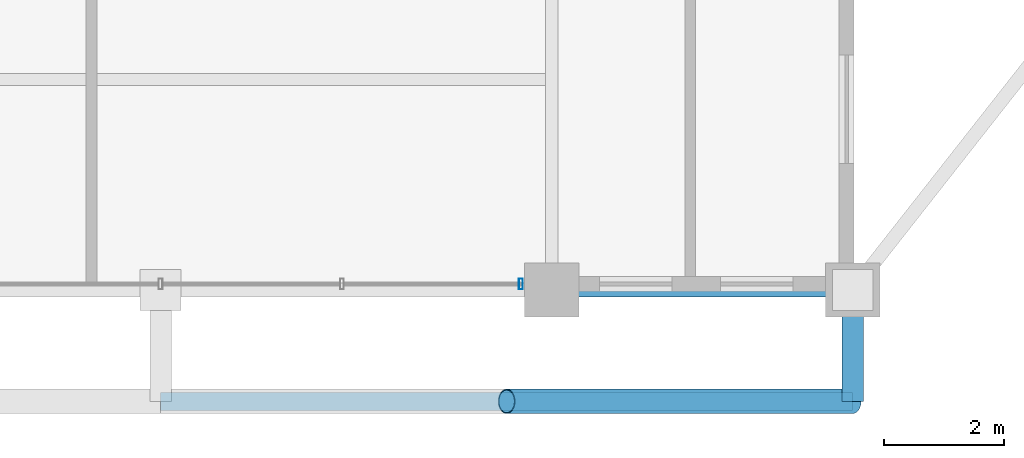
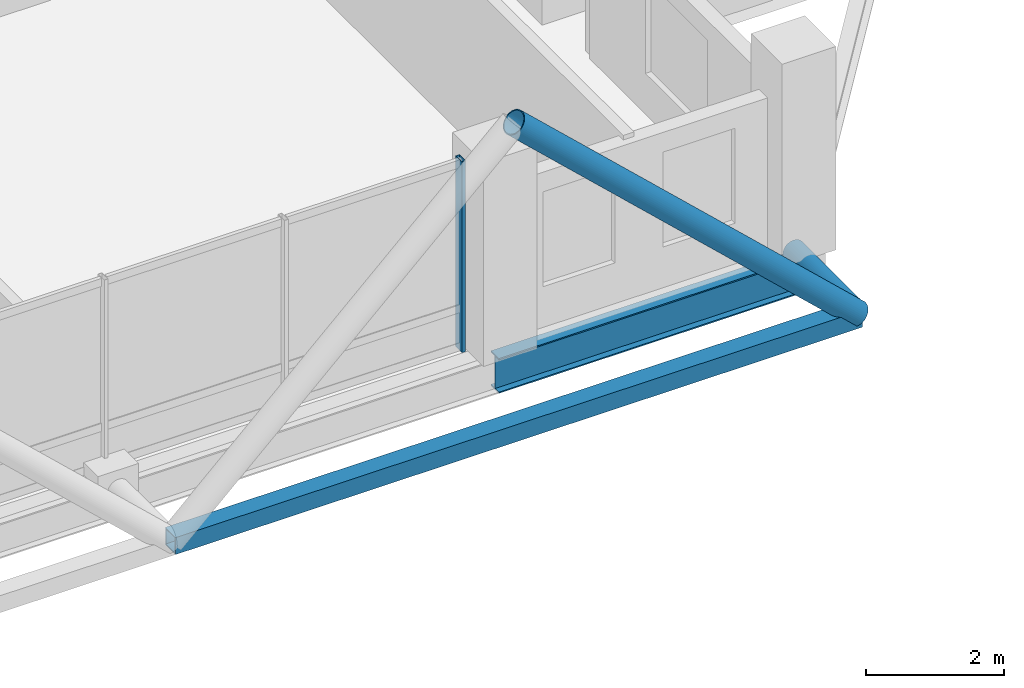
# One storey, part 6 of 24: 4 members, 1 beam, 1 element without a shape of its own.
"""IFC4 building model written with IfcOpenShell, lengths in metres."""

from ifc_helpers import new_model, si_unit, direction, frame, origin, origin_2d, place, context, subcontext, project, spatial, hollow_rectangle, hollow_circle, i_section, extrude, material, layer, layer_set, material_profile, profile_set, type_object, element, aggregate, save


model = new_model("IFC4")

# Units and contexts
model_context = context("Model", 3, precision=1e-05, world=origin(), true_north=direction((0.0, 1.0)))
body_context = subcontext(model_context, "Body", "Model", "MODEL_VIEW")
ifc_project = project(units=[si_unit("LENGTHUNIT", "METRE"), si_unit("AREAUNIT", "SQUARE_METRE"), si_unit("VOLUMEUNIT", "CUBIC_METRE"), si_unit("PLANEANGLEUNIT", "RADIAN"), si_unit("MASSUNIT", "GRAM", prefix="KILO")], contexts=[model_context])

# Site, building, storey
site_placement = place(None, origin())
site = spatial("IfcSite", under=ifc_project, at=site_placement, CompositionType="ELEMENT")
building_placement = place(site_placement, origin())
building = spatial("IfcBuilding", under=site, at=building_placement, Name="Barlavira Tower and Art Museum", CompositionType="ELEMENT")
storey_placement = place(building_placement, frame((0.0, 0.0, 294.300048828125)))
storey = spatial("IfcBuildingStorey", under=building, at=storey_placement, Name="L77", CompositionType="ELEMENT", Elevation=294.300048828125)

# Curtain wall, member
ifc_material_1 = material(Name="Low-iron coastal laminated glass", Category="glass")
ifc_layer = layer(ifc_material_1, 0.2099609375, Name="Low-iron coastal laminated glass")
ifc_layer_set = layer_set([ifc_layer], Name="Low-iron coastal laminated glass")
curtain_wall_type = type_object("IfcCurtainWallType", Name="Pale-Metal Unitised Curtain Wall Zone 4", PredefinedType="NOTDEFINED", material=ifc_layer_set)
curtain_wall_placement = place(storey_placement, origin())
curtain_wall = element("IfcCurtainWall", 1, at=curtain_wall_placement, inside=storey, type_object=curtain_wall_type, Name="L77 Curtain Wall CW4-L77-S-B2", PredefinedType="NOTDEFINED")
ifc_material_2 = material(Name="Pale anodised aluminium", Category="aluminium")
ifc_material_profile_1 = material_profile(ifc_material_2, hollow_rectangle(XDim=0.06494140625, YDim=0.179931640625, WallThickness=0.00390625, at=origin_2d()), Name="ALU-MULL 65x180x4")
ifc_profile_set_1 = profile_set([ifc_material_profile_1], Name="Pale anodised aluminium")
member_type_1 = type_object("IfcMemberType", Name="Curtain Wall Pale-Metal Mullion 65x180", PredefinedType="MULLION", material=ifc_profile_set_1)
member_1_placement = place(storey_placement, frame((5.985107421875, -19.89990234375, 0.0), z_axis=(0.0, 0.0, 1.0), x_axis=(1.0, 0.0, 0.0)))
member_1 = element("IfcMember", 2, at=member_1_placement, type_object=member_type_1, Name="CW4-L77-S-B2 Mullion 4", PredefinedType="MULLION", context=body_context, shape_type="SweptSolid", body=[
    extrude(hollow_rectangle(XDim=0.06494140625, YDim=0.179931640625, WallThickness=0.00390625, at=origin_2d()), origin(), (0.0, 0.0, 1.0), 3.3798828125),
])
aggregate(curtain_wall, [member_1])

# Members
ifc_material_3 = material(Name="Steel S355", Category="steel")
ifc_material_profile_2 = material_profile(ifc_material_3, hollow_circle(Radius=0.203125, WallThickness=0.01611328125, at=origin_2d()), Name="CHS 406.4x16.0")
ifc_profile_set_2 = profile_set([ifc_material_profile_2], Name="Steel S355")
member_type_2 = type_object("IfcMemberType", Name="Pale-Metal Exoskeleton Diagrid Tube CHS 406x16 Steel S355", PredefinedType="BRACE", material=ifc_profile_set_2)
member_2_placement = place(storey_placement, frame((11.5, -21.85009765625, -0.1201171875), z_axis=(-0.728934650808, 0.0, 0.684583285548), x_axis=(0.0, -1.0, 0.0)))
element("IfcMember", 3, at=member_2_placement, inside=storey, type_object=member_type_2, Name="L77 Exoskeleton Diagrid Tube S", PredefinedType="BRACE", context=body_context, shape_type="SweptSolid", body=[
    extrude(hollow_circle(Radius=0.203125, WallThickness=0.01611328125, at=origin_2d()), origin(), (0.0, 0.0, 1.0), 7.88818359375),
])
ifc_material_profile_3 = material_profile(ifc_material_3, hollow_circle(Radius=0.177734375, WallThickness=0.01611328125, at=origin_2d()), Name="CHS 355.6x16.0")
ifc_profile_set_3 = profile_set([ifc_material_profile_3], Name="Steel S355")
member_type_3 = type_object("IfcMemberType", Name="Pale-Metal Exoskeleton Tie Strut CHS 356x16 Steel S355", PredefinedType="STRUT", material=ifc_profile_set_3)
member_3_placement = place(storey_placement, frame((11.5, -21.85009765625, -0.1201171875), z_axis=(0.0, 1.0, 0.0), x_axis=(-1.0, 0.0, 0.0)))
element("IfcMember", 4, at=member_3_placement, inside=storey, type_object=member_type_3, Name="L77 Exoskeleton Tie Strut S3", PredefinedType="STRUT", context=body_context, shape_type="SweptSolid", body=[
    extrude(hollow_circle(Radius=0.177734375, WallThickness=0.01611328125, at=origin_2d()), origin(), (0.0, 0.0, 1.0), 1.85009765625),
])
ifc_material_profile_4 = material_profile(ifc_material_3, hollow_rectangle(XDim=0.300048828125, YDim=0.300048828125, WallThickness=0.01611328125, at=origin_2d()), Name="SHS 300x300x16.0")
ifc_profile_set_4 = profile_set([ifc_material_profile_4], Name="Steel S355")
member_type_4 = type_object("IfcMemberType", Name="Pale-Metal Upper Ring Strut SHS 300x300x16 Steel S355", PredefinedType="STRUT", material=ifc_profile_set_4)
member_4_placement = place(storey_placement, frame((0.0, -21.85009765625, -0.1201171875), z_axis=(1.0, 0.0, 0.0), x_axis=(0.0, 1.0, 0.0)))
element("IfcMember", 5, at=member_4_placement, inside=storey, type_object=member_type_4, Name="L77 Exoskeleton Ring Strut S", PredefinedType="STRUT", context=body_context, shape_type="SweptSolid", body=[
    extrude(hollow_rectangle(XDim=0.300048828125, YDim=0.300048828125, WallThickness=0.01611328125, at=origin_2d()), origin(), (0.0, 0.0, 1.0), 11.5),
])

# Beam
ifc_material_profile_5 = material_profile(ifc_material_3, i_section(OverallWidth=0.22998046875, OverallDepth=0.616943359375, WebThickness=0.01318359375, FlangeThickness=0.022216796875, at=origin_2d()), Name="W610x140.0")
ifc_profile_set_5 = profile_set([ifc_material_profile_5], Name="Steel S355")
beam_type = type_object("IfcBeamType", Name="Upper Shaft Spandrel Edge Beam W610x140 Steel S355", PredefinedType="SPANDREL", material=ifc_profile_set_5)
beam_placement = place(storey_placement, frame((6.5, -20.0, -0.528564453125), z_axis=(1.0, 0.0, 0.0), x_axis=(0.0, 1.0, 0.0)))
element("IfcBeam", 6, at=beam_placement, inside=storey, type_object=beam_type, Name="L77 Spandrel 3", PredefinedType="SPANDREL", context=body_context, shape_type="SweptSolid", body=[
    extrude(i_section(OverallWidth=0.22998046875, OverallDepth=0.616943359375, WebThickness=0.01318359375, FlangeThickness=0.022216796875, at=origin_2d()), origin(), (0.0, 0.0, 1.0), 5.0),
])

save(model, "model.ifc")
